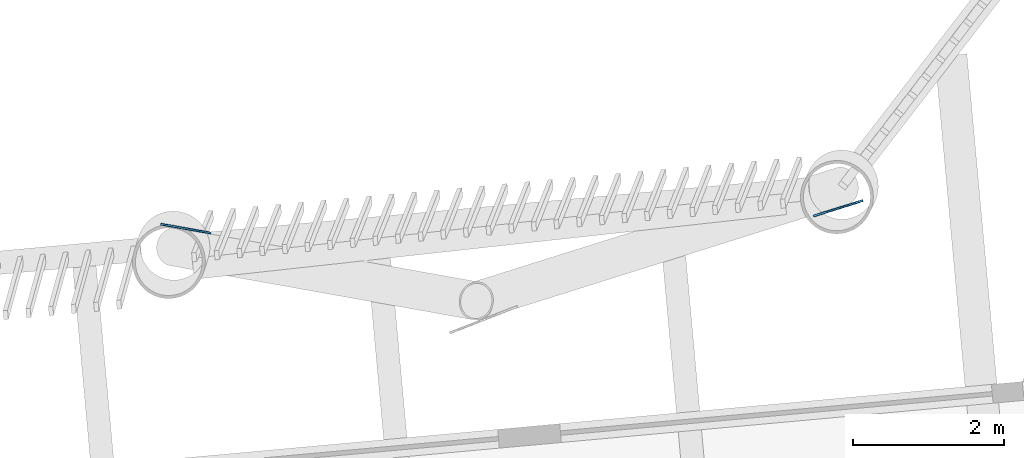
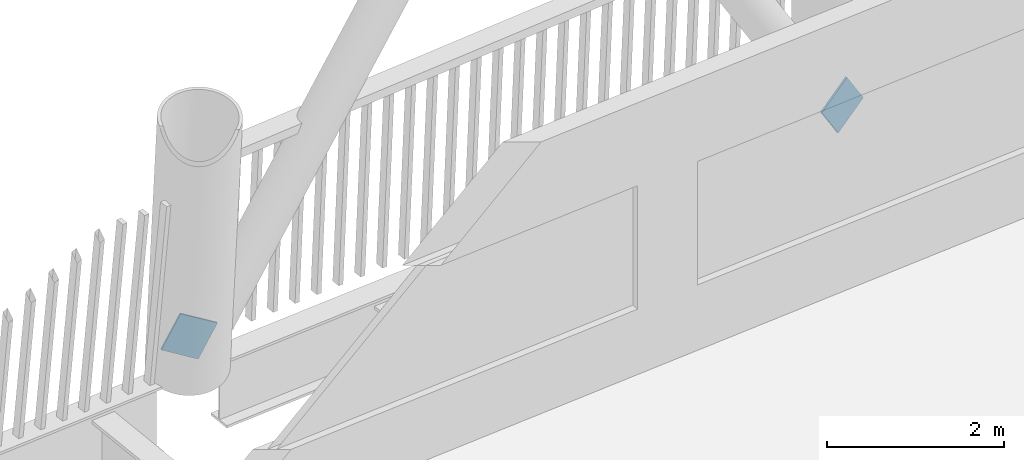
# One storey, part 13 of 23: 2 discrete accessories.
"""IFC4 building model written with IfcOpenShell, lengths in metres."""

from ifc_helpers import new_model, si_unit, direction, frame, origin, origin_2d, place, context, subcontext, project, spatial, rectangle, extrude, material, material_profile, profile_set, type_object, element, save


model = new_model("IFC4")

# Units and contexts
model_context = context("Model", 3, precision=1e-05, world=origin(), true_north=direction((0.0, 1.0)))
body_context = subcontext(model_context, "Body", "Model", "MODEL_VIEW")
ifc_project = project(units=[si_unit("LENGTHUNIT", "METRE"), si_unit("AREAUNIT", "SQUARE_METRE"), si_unit("VOLUMEUNIT", "CUBIC_METRE"), si_unit("PLANEANGLEUNIT", "RADIAN"), si_unit("MASSUNIT", "GRAM", prefix="KILO")], contexts=[model_context])

# Site, building, storey
site_placement = place(None, origin())
site = spatial("IfcSite", under=ifc_project, at=site_placement, CompositionType="ELEMENT")
building_placement = place(site_placement, origin())
building = spatial("IfcBuilding", under=site, at=building_placement, Name="Tarsis Ring Headquarters", CompositionType="ELEMENT")
storey_placement = place(building_placement, frame((0.0, 0.0, 308.0)))
storey = spatial("IfcBuildingStorey", under=building, at=storey_placement, Name="L72", CompositionType="ELEMENT", Elevation=308.0)

# Discrete accessories
ifc_material = material(Name="Structural steel S355", Category="steel")
ifc_material_profile = material_profile(ifc_material, rectangle(XDim=0.02490234375, YDim=0.5, at=origin_2d()), Name="PL 25x500")
ifc_profile_set = profile_set([ifc_material_profile], Name="Structural steel S355")
discrete_accessory_type = type_object("IfcDiscreteAccessoryType", Name="Gusset plate Exo brace 25", PredefinedType="BRACKET", material=ifc_profile_set)
for number, where, z_axis, x_axis, name in (
    (1, (-26.154052734375, 12.219482421875, 0.0), (-0.520929899693, -0.163553436174, 0.837784168579), (0.299547570412, -0.954081366059, 0.0), "Gusset plate GP5"),
    (2, (-35.052734375, 11.92919921875, 0.0), (0.456045663019, -0.081541355165, 0.886212931884), (0.176009501197, 0.984388467775, 0.0), "Gusset plate GP5"),
):
    element("IfcDiscreteAccessory", number, at=place(storey_placement, frame(where, z_axis=z_axis, x_axis=x_axis)), inside=storey, type_object=discrete_accessory_type, Name=name, PredefinedType="BRACKET", context=body_context, shape_type="SweptSolid", body=[
        extrude(rectangle(XDim=0.02490234375, YDim=0.5, at=origin_2d()), origin(), (0.0, 0.0, 1.0), 0.5),
    ])

save(model, "model.ifc")
